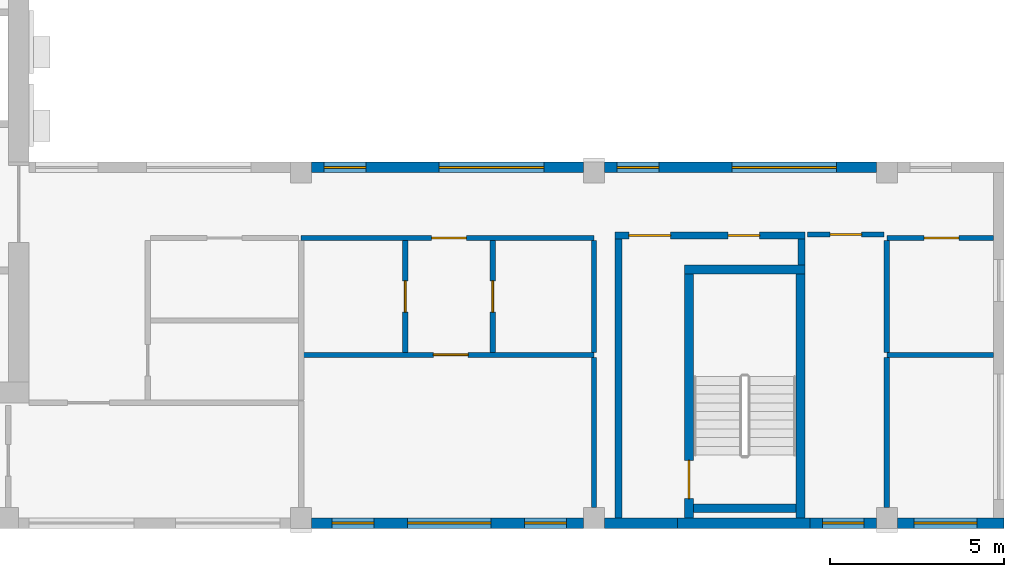
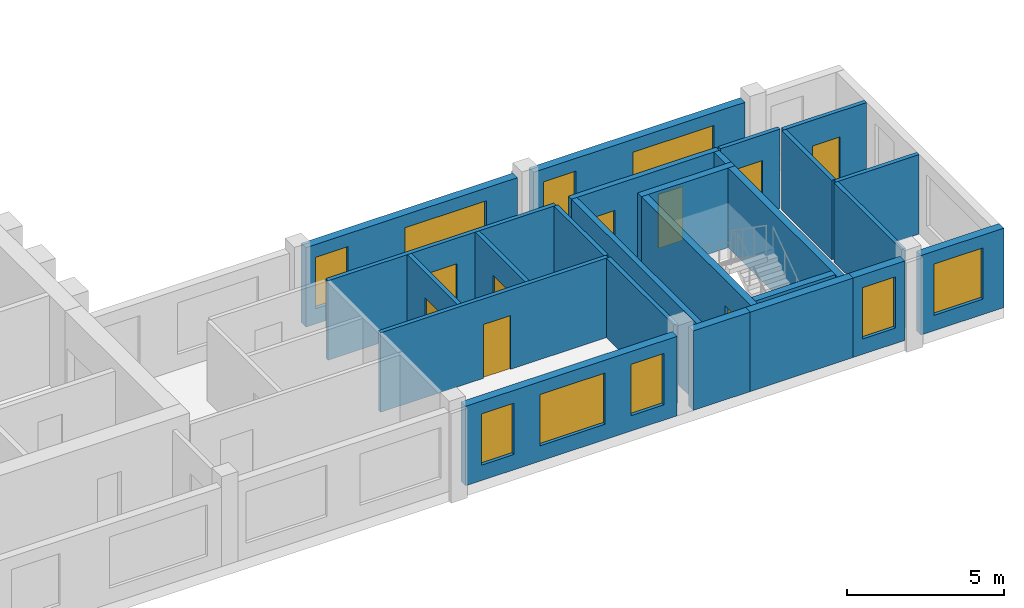
# One storey, part 4 of 10: 25 walls, 9 doors, 9 windows, 18 openings.
"""IFC4 building model written with IfcOpenShell, lengths in metres."""

from ifc_helpers import new_model, si_unit, direction, frame, frame_2d, origin, place, context, subcontext, project, spatial, rectangle, extrude, source, transform, mapped, material, layer, layer_set, type_object, element, fill, save


model = new_model("IFC4")

# Units and contexts
model_context = context("Model", 3, precision=1e-05, world=origin(), true_north=direction((0.0, 1.0)))
body_context = subcontext(model_context, "Body", "Model", "MODEL_VIEW")
ifc_project = project(units=[si_unit("LENGTHUNIT", "METRE"), si_unit("AREAUNIT", "SQUARE_METRE"), si_unit("VOLUMEUNIT", "CUBIC_METRE"), si_unit("PLANEANGLEUNIT", "RADIAN"), si_unit("MASSUNIT", "GRAM", prefix="KILO")], contexts=[model_context])

# Site, building, storey
site_placement = place(None, origin())
site = spatial("IfcSite", under=ifc_project, at=site_placement, CompositionType="ELEMENT")
building_placement = place(site_placement, origin())
building = spatial("IfcBuilding", under=site, at=building_placement, Name="Aurelian Terraces", CompositionType="ELEMENT")
storey_placement = place(building_placement, frame((0.0, 0.0, 358.0)))
storey = spatial("IfcBuildingStorey", under=building, at=storey_placement, Name="L85", CompositionType="ELEMENT", Elevation=358.0)

# Walls
ifc_material_1 = material(Name="Concrete fc' 40 MPa", Category="concrete")
ifc_layer_1 = layer(ifc_material_1, 0.3)
ifc_layer_set_1 = layer_set([ifc_layer_1], Name="STAIR BAY WALL 300")
wall_type_1 = type_object("IfcWallType", Name="STAIR BAY WALL 300", PredefinedType="SOLIDWALL", material=ifc_layer_set_1)
shared_shape_1 = source(origin(), body_context, "Body", "SweptSolid", [
    extrude(rectangle(XDim=3.8, YDim=0.3, at=frame_2d((1.9, 0.0))), origin(), (0.0, 0.0, 1.0), 3.1),
])
wall_1_placement = place(storey_placement, frame((40.2, 0.15, 0.0), z_axis=(0.0, 0.0, 1.0), x_axis=(1.0, 0.0, 0.0)))
element("IfcWall", 1, at=wall_1_placement, inside=storey, type_object=wall_type_1, Name="Stair bay wall L85 F01.5", PredefinedType="SOLIDWALL", context=body_context, shape_type="MappedRepresentation", body=[
    mapped(shared_shape_1, transform((0.0, 0.0, 0.0), scale=1.0)),
])
ifc_material_2 = material(Name="Terracotta rainscreen cladding", Category="masonry")
ifc_layer_2 = layer(ifc_material_2, 0.3)
ifc_layer_set_2 = layer_set([ifc_layer_2], Name="EW-300")
wall_type_2 = type_object("IfcWallType", Name="EW-300", PredefinedType="STANDARD", material=ifc_layer_set_2)
shared_shape_2 = source(origin(), body_context, "Body", "SweptSolid", [
    extrude(rectangle(XDim=2.1, YDim=0.3, at=frame_2d((1.05, 0.0))), origin(), (0.0, 0.0, 1.0), 3.1),
])
wall_2_placement = place(storey_placement, frame((38.1, 0.15, 0.0), z_axis=(0.0, 0.0, 1.0), x_axis=(1.0, 0.0, 0.0)))
element("IfcWall", 2, at=wall_2_placement, inside=storey, type_object=wall_type_2, Name="External wall L85 F01.5", PredefinedType="STANDARD", context=body_context, shape_type="MappedRepresentation", body=[
    mapped(shared_shape_2, transform((0.0, 0.0, 0.0), scale=1.0)),
])

# Wall, opening, window
shared_shape_3 = source(origin(), body_context, "Body", "SweptSolid", [
    extrude(rectangle(XDim=1.9, YDim=0.3, at=frame_2d((0.95, 0.0))), origin(), (0.0, 0.0, 1.0), 3.1),
])
wall_3_placement = place(storey_placement, frame((44.0, 0.15, 0.0), z_axis=(0.0, 0.0, 1.0), x_axis=(1.0, 0.0, 0.0)))
wall_3 = element("IfcWall", 3, at=wall_3_placement, inside=storey, type_object=wall_type_2, Name="External wall L85 F01.5", PredefinedType="STANDARD", context=body_context, shape_type="MappedRepresentation", body=[
    mapped(shared_shape_3, transform((0.0, 0.0, 0.0), scale=1.0)),
])
shared_shape_4 = source(origin(), body_context, "Body", "SweptSolid", [
    extrude(rectangle(XDim=1.2, YDim=2.0, at=frame_2d((0.6, 1.0))), frame((0.0, 0.16, 0.0), z_axis=(0.0, -1.0, 0.0), x_axis=(1.0, 0.0, 0.0)), (0.0, 0.0, 1.0), 0.32),
])
opening_1_placement = place(wall_3_placement, frame((0.35, 0.0, 0.6)))
opening_1 = element("IfcOpeningElement", 4, at=opening_1_placement, cuts=wall_3, Name="Opening W1220", PredefinedType="OPENING", context=body_context, shape_type="MappedRepresentation", body=[
    mapped(shared_shape_4, transform((0.0, 0.0, 0.0), scale=1.0)),
])
ifc_material_3 = material(Name="Clear glazing", Category="glass")
window_type_1 = type_object("IfcWindowType", Name="W-1200x2000", PartitioningType="SINGLE_PANEL", PredefinedType="WINDOW", material=ifc_material_3)
shared_shape_5 = source(origin(), body_context, "Body", "SweptSolid", [
    extrude(rectangle(XDim=1.2, YDim=2.0, at=frame_2d((0.6, 1.0))), frame((0.0, 0.03, 0.0), z_axis=(0.0, -1.0, 0.0), x_axis=(1.0, 0.0, 0.0)), (0.0, 0.0, 1.0), 0.06),
])
window_1_placement = place(opening_1_placement, origin())
window_1 = element("IfcWindow", 5, at=window_1_placement, inside=storey, type_object=window_type_1, Name="Window L85 L85-F01-05-P2", OverallHeight=2.0, OverallWidth=1.2, PartitioningType="SINGLE_PANEL", PredefinedType="WINDOW", context=body_context, shape_type="MappedRepresentation", body=[
    mapped(shared_shape_5, transform((0.0, 0.0, 0.0), scale=1.0)),
])
fill(opening_1, window_1)

shared_shape_6 = source(origin(), body_context, "Body", "SweptSolid", [
    extrude(rectangle(XDim=3.06, YDim=0.3, at=frame_2d((1.53, 0.0))), origin(), (0.0, 0.0, 1.0), 3.1),
])
wall_4_placement = place(storey_placement, frame((46.5, 0.15, 0.0), z_axis=(0.0, 0.0, 1.0), x_axis=(1.0, 0.0, 0.0)))
wall_4 = element("IfcWall", 6, at=wall_4_placement, inside=storey, type_object=wall_type_2, Name="External wall L85 F01.6", PredefinedType="STANDARD", context=body_context, shape_type="MappedRepresentation", body=[
    mapped(shared_shape_6, transform((0.0, 0.0, 0.0), scale=1.0)),
])
shared_shape_7 = source(origin(), body_context, "Body", "SweptSolid", [
    extrude(rectangle(XDim=1.8, YDim=2.0, at=frame_2d((0.9, 1.0))), frame((0.0, 0.16, 0.0), z_axis=(0.0, -1.0, 0.0), x_axis=(1.0, 0.0, 0.0)), (0.0, 0.0, 1.0), 0.32),
])
opening_2_placement = place(wall_4_placement, frame((0.48, 0.0, 0.6)))
opening_2 = element("IfcOpeningElement", 7, at=opening_2_placement, cuts=wall_4, Name="Opening W1820", PredefinedType="OPENING", context=body_context, shape_type="MappedRepresentation", body=[
    mapped(shared_shape_7, transform((0.0, 0.0, 0.0), scale=1.0)),
])
window_type_2 = type_object("IfcWindowType", Name="W-1800x2000", PartitioningType="SINGLE_PANEL", PredefinedType="WINDOW", material=ifc_material_3)
shared_shape_8 = source(origin(), body_context, "Body", "SweptSolid", [
    extrude(rectangle(XDim=1.8, YDim=2.0, at=frame_2d((0.9, 1.0))), frame((0.0, 0.03, 0.0), z_axis=(0.0, -1.0, 0.0), x_axis=(1.0, 0.0, 0.0)), (0.0, 0.0, 1.0), 0.06),
])
window_2_placement = place(opening_2_placement, origin())
window_2 = element("IfcWindow", 8, at=window_2_placement, inside=storey, type_object=window_type_2, Name="Window L85 L85-F01-06-0", OverallHeight=2.0, OverallWidth=1.8, PartitioningType="SINGLE_PANEL", PredefinedType="WINDOW", context=body_context, shape_type="MappedRepresentation", body=[
    mapped(shared_shape_8, transform((0.0, 0.0, 0.0), scale=1.0)),
])
fill(opening_2, window_2)

# Wall, openings, windows
shared_shape_9 = source(origin(), body_context, "Body", "SweptSolid", [
    extrude(rectangle(XDim=7.8, YDim=0.3, at=frame_2d((3.9, 0.0))), origin(), (0.0, 0.0, 1.0), 3.1),
])
wall_5_placement = place(storey_placement, frame((29.7, 0.15, 0.0), z_axis=(0.0, 0.0, 1.0), x_axis=(1.0, 0.0, 0.0)))
wall_5 = element("IfcWall", 9, at=wall_5_placement, inside=storey, type_object=wall_type_2, Name="External wall L85 F01.4", PredefinedType="STANDARD", context=body_context, shape_type="MappedRepresentation", body=[
    mapped(shared_shape_9, transform((0.0, 0.0, 0.0), scale=1.0)),
])
opening_3_placement = place(wall_5_placement, frame((0.5875, 0.0, 0.6)))
opening_3 = element("IfcOpeningElement", 10, at=opening_3_placement, cuts=wall_5, Name="Opening W1220", PredefinedType="OPENING", context=body_context, shape_type="MappedRepresentation", body=[
    mapped(shared_shape_4, transform((0.0, 0.0, 0.0), scale=1.0)),
])
opening_4_placement = place(wall_5_placement, frame((6.1125, 0.0, 0.6)))
opening_4 = element("IfcOpeningElement", 11, at=opening_4_placement, cuts=wall_5, Name="Opening W1220", PredefinedType="OPENING", context=body_context, shape_type="MappedRepresentation", body=[
    mapped(shared_shape_4, transform((0.0, 0.0, 0.0), scale=1.0)),
])
shared_shape_10 = source(origin(), body_context, "Body", "SweptSolid", [
    extrude(rectangle(XDim=2.4, YDim=2.0, at=frame_2d((1.2, 1.0))), frame((0.0, 0.16, 0.0), z_axis=(0.0, -1.0, 0.0), x_axis=(1.0, 0.0, 0.0)), (0.0, 0.0, 1.0), 0.32),
])
opening_5_placement = place(wall_5_placement, frame((2.75, 0.0, 0.6)))
opening_5 = element("IfcOpeningElement", 12, at=opening_5_placement, cuts=wall_5, Name="Opening W2420", PredefinedType="OPENING", context=body_context, shape_type="MappedRepresentation", body=[
    mapped(shared_shape_10, transform((0.0, 0.0, 0.0), scale=1.0)),
])
window_3_placement = place(opening_3_placement, origin())
window_3 = element("IfcWindow", 13, at=window_3_placement, inside=storey, type_object=window_type_1, Name="Window L85 L85-F01-04-0", OverallHeight=2.0, OverallWidth=1.2, PartitioningType="SINGLE_PANEL", PredefinedType="WINDOW", context=body_context, shape_type="MappedRepresentation", body=[
    mapped(shared_shape_5, transform((0.0, 0.0, 0.0), scale=1.0)),
])
fill(opening_3, window_3)
window_4_placement = place(opening_4_placement, origin())
window_4 = element("IfcWindow", 14, at=window_4_placement, inside=storey, type_object=window_type_1, Name="Window L85 L85-F01-04-1", OverallHeight=2.0, OverallWidth=1.2, PartitioningType="SINGLE_PANEL", PredefinedType="WINDOW", context=body_context, shape_type="MappedRepresentation", body=[
    mapped(shared_shape_5, transform((0.0, 0.0, 0.0), scale=1.0)),
])
fill(opening_4, window_4)
window_type_3 = type_object("IfcWindowType", Name="W-2400x2000", PartitioningType="SINGLE_PANEL", PredefinedType="WINDOW", material=ifc_material_3)
shared_shape_11 = source(origin(), body_context, "Body", "SweptSolid", [
    extrude(rectangle(XDim=2.4, YDim=2.0, at=frame_2d((1.2, 1.0))), frame((0.0, 0.03, 0.0), z_axis=(0.0, -1.0, 0.0), x_axis=(1.0, 0.0, 0.0)), (0.0, 0.0, 1.0), 0.06),
])
window_5_placement = place(opening_5_placement, origin())
window_5 = element("IfcWindow", 15, at=window_5_placement, inside=storey, type_object=window_type_3, Name="Window L85 L85-F01-04-G0-21", OverallHeight=2.0, OverallWidth=2.4, PartitioningType="SINGLE_PANEL", PredefinedType="WINDOW", context=body_context, shape_type="MappedRepresentation", body=[
    mapped(shared_shape_11, transform((0.0, 0.0, 0.0), scale=1.0)),
])
fill(opening_5, window_5)

wall_6_placement = place(storey_placement, frame((45.9, 10.35, 0.0), z_axis=(0.0, 0.0, 1.0), x_axis=(-1.0, 0.0, 0.0)))
wall_6 = element("IfcWall", 16, at=wall_6_placement, inside=storey, type_object=wall_type_2, Name="External wall L85 F03.8", PredefinedType="STANDARD", context=body_context, shape_type="MappedRepresentation", body=[
    mapped(shared_shape_9, transform((0.0, 0.0, 0.0), scale=1.0)),
])
shared_shape_12 = source(origin(), body_context, "Body", "SweptSolid", [
    extrude(rectangle(XDim=3.0, YDim=2.0, at=frame_2d((1.5, 1.0))), frame((0.0, 0.16, 0.0), z_axis=(0.0, -1.0, 0.0), x_axis=(1.0, 0.0, 0.0)), (0.0, 0.0, 1.0), 0.32),
])
opening_6_placement = place(wall_6_placement, frame((1.14, 0.0, 0.6)))
opening_6 = element("IfcOpeningElement", 17, at=opening_6_placement, cuts=wall_6, Name="Opening W3020", PredefinedType="OPENING", context=body_context, shape_type="MappedRepresentation", body=[
    mapped(shared_shape_12, transform((0.0, 0.0, 0.0), scale=1.0)),
])
opening_7_placement = place(wall_6_placement, frame((6.24, 0.0, 0.6)))
opening_7 = element("IfcOpeningElement", 18, at=opening_7_placement, cuts=wall_6, Name="Opening W1220", PredefinedType="OPENING", context=body_context, shape_type="MappedRepresentation", body=[
    mapped(shared_shape_4, transform((0.0, 0.0, 0.0), scale=1.0)),
])
window_type_4 = type_object("IfcWindowType", Name="W-3000x2000", PartitioningType="SINGLE_PANEL", PredefinedType="WINDOW", material=ifc_material_3)
shared_shape_13 = source(origin(), body_context, "Body", "SweptSolid", [
    extrude(rectangle(XDim=3.0, YDim=2.0, at=frame_2d((1.5, 1.0))), frame((0.0, 0.03, 0.0), z_axis=(0.0, -1.0, 0.0), x_axis=(1.0, 0.0, 0.0)), (0.0, 0.0, 1.0), 0.06),
])
window_6_placement = place(opening_6_placement, origin())
window_6 = element("IfcWindow", 19, at=window_6_placement, inside=storey, type_object=window_type_4, Name="Window L85 L85-F03-08-1", OverallHeight=2.0, OverallWidth=3.0, PartitioningType="SINGLE_PANEL", PredefinedType="WINDOW", context=body_context, shape_type="MappedRepresentation", body=[
    mapped(shared_shape_13, transform((0.0, 0.0, 0.0), scale=1.0)),
])
fill(opening_6, window_6)
window_7_placement = place(opening_7_placement, origin())
window_7 = element("IfcWindow", 20, at=window_7_placement, inside=storey, type_object=window_type_1, Name="Window L85 L85-F03-08-2", OverallHeight=2.0, OverallWidth=1.2, PartitioningType="SINGLE_PANEL", PredefinedType="WINDOW", context=body_context, shape_type="MappedRepresentation", body=[
    mapped(shared_shape_5, transform((0.0, 0.0, 0.0), scale=1.0)),
])
fill(opening_7, window_7)

wall_7_placement = place(storey_placement, frame((37.5, 10.35, 0.0), z_axis=(0.0, 0.0, 1.0), x_axis=(-1.0, 0.0, 0.0)))
wall_7 = element("IfcWall", 21, at=wall_7_placement, inside=storey, type_object=wall_type_2, Name="External wall L85 F03.8", PredefinedType="STANDARD", context=body_context, shape_type="MappedRepresentation", body=[
    mapped(shared_shape_9, transform((0.0, 0.0, 0.0), scale=1.0)),
])
opening_8_placement = place(wall_7_placement, frame((1.14, 0.0, 0.6)))
opening_8 = element("IfcOpeningElement", 22, at=opening_8_placement, cuts=wall_7, Name="Opening W3020", PredefinedType="OPENING", context=body_context, shape_type="MappedRepresentation", body=[
    mapped(shared_shape_12, transform((0.0, 0.0, 0.0), scale=1.0)),
])
opening_9_placement = place(wall_7_placement, frame((6.24, 0.0, 0.6)))
opening_9 = element("IfcOpeningElement", 23, at=opening_9_placement, cuts=wall_7, Name="Opening W1220", PredefinedType="OPENING", context=body_context, shape_type="MappedRepresentation", body=[
    mapped(shared_shape_4, transform((0.0, 0.0, 0.0), scale=1.0)),
])
window_8_placement = place(opening_8_placement, origin())
window_8 = element("IfcWindow", 24, at=window_8_placement, inside=storey, type_object=window_type_4, Name="Window L85 L85-F03-08-3", OverallHeight=2.0, OverallWidth=3.0, PartitioningType="SINGLE_PANEL", PredefinedType="WINDOW", context=body_context, shape_type="MappedRepresentation", body=[
    mapped(shared_shape_13, transform((0.0, 0.0, 0.0), scale=1.0)),
])
fill(opening_8, window_8)
window_9_placement = place(opening_9_placement, origin())
window_9 = element("IfcWindow", 25, at=window_9_placement, inside=storey, type_object=window_type_1, Name="Window L85 L85-F03-08-4", OverallHeight=2.0, OverallWidth=1.2, PartitioningType="SINGLE_PANEL", PredefinedType="WINDOW", context=body_context, shape_type="MappedRepresentation", body=[
    mapped(shared_shape_5, transform((0.0, 0.0, 0.0), scale=1.0)),
])
fill(opening_9, window_9)

# Wall, opening, door
ifc_layer_3 = layer(ifc_material_1, 0.25)
ifc_layer_set_3 = layer_set([ifc_layer_3], Name="Stair enclosure wall 250")
wall_type_3 = type_object("IfcWallType", Name="Stair enclosure wall 250", PredefinedType="SOLIDWALL", material=ifc_layer_set_3)
shared_shape_14 = source(origin(), body_context, "Body", "SweptSolid", [
    extrude(rectangle(XDim=7.0, YDim=0.25, at=frame_2d((3.5, 0.0))), origin(), (0.0, 0.0, 1.0), 3.1),
])
wall_8_placement = place(storey_placement, frame((40.525, 0.3, 0.0), z_axis=(0.0, 0.0, 1.0), x_axis=(0.0, 1.0, 0.0)))
wall_8 = element("IfcWall", 26, at=wall_8_placement, inside=storey, type_object=wall_type_3, Name="L85 core wall ST-S2-W", PredefinedType="SOLIDWALL", context=body_context, shape_type="MappedRepresentation", body=[
    mapped(shared_shape_14, transform((0.0, 0.0, 0.0), scale=1.0)),
])
shared_shape_15 = source(origin(), body_context, "Body", "SweptSolid", [
    extrude(rectangle(XDim=1.1, YDim=2.1, at=frame_2d((0.55, 1.05))), frame((0.0, 0.135, 0.0), z_axis=(0.0, -1.0, 0.0), x_axis=(1.0, 0.0, 0.0)), (0.0, 0.0, 1.0), 0.27),
])
opening_10_placement = place(wall_8_placement, frame((0.55, 0.0, 0.0)))
opening_10 = element("IfcOpeningElement", 27, at=opening_10_placement, cuts=wall_8, Name="Opening 68818", PredefinedType="OPENING", context=body_context, shape_type="MappedRepresentation", body=[
    mapped(shared_shape_15, transform((0.0, 0.0, 0.0), scale=1.0)),
])
ifc_material_4 = material(Name="Steel door leaf", Category="steel")
door_type_1 = type_object("IfcDoorType", Name="Core fire door 1100x2100", OperationType="SINGLE_SWING_LEFT", PredefinedType="DOOR", material=ifc_material_4)
shared_shape_16 = source(origin(), body_context, "Body", "SweptSolid", [
    extrude(rectangle(XDim=1.1, YDim=2.1, at=frame_2d((0.55, 1.05))), frame((0.0, 0.025, 0.0), z_axis=(0.0, -1.0, 0.0), x_axis=(1.0, 0.0, 0.0)), (0.0, 0.0, 1.0), 0.05),
])
door_1_placement = place(opening_10_placement, origin())
door_1 = element("IfcDoor", 28, at=door_1_placement, inside=storey, type_object=door_type_1, Name="Stair door 68818", OperationType="SINGLE_SWING_LEFT", OverallHeight=2.1, OverallWidth=1.1, PredefinedType="DOOR", context=body_context, shape_type="MappedRepresentation", body=[
    mapped(shared_shape_16, transform((0.0, 0.0, 0.0), scale=1.0)),
])
fill(opening_10, door_1)

# Walls
wall_9_placement = place(storey_placement, frame((43.725, 0.3, 0.0), z_axis=(0.0, 0.0, 1.0), x_axis=(0.0, 1.0, 0.0)))
element("IfcWall", 29, at=wall_9_placement, inside=storey, type_object=wall_type_3, Name="L85 core wall ST-S2-E", PredefinedType="SOLIDWALL", context=body_context, shape_type="MappedRepresentation", body=[
    mapped(shared_shape_14, transform((0.0, 0.0, 0.0), scale=1.0)),
])
shared_shape_17 = source(origin(), body_context, "Body", "SweptSolid", [
    extrude(rectangle(XDim=3.45, YDim=0.25, at=frame_2d((1.725, 0.0))), origin(), (0.0, 0.0, 1.0), 3.1),
])
wall_10_placement = place(storey_placement, frame((40.4, 7.425, 0.0), z_axis=(0.0, 0.0, 1.0), x_axis=(1.0, 0.0, 0.0)))
element("IfcWall", 30, at=wall_10_placement, inside=storey, type_object=wall_type_3, Name="L85 core wall ST-S2-N", PredefinedType="SOLIDWALL", context=body_context, shape_type="MappedRepresentation", body=[
    mapped(shared_shape_17, transform((0.0, 0.0, 0.0), scale=1.0)),
])
ifc_material_5 = material(Name="Gypsum board on steel studs", Category="steel")
ifc_layer_4 = layer(ifc_material_5, 0.2)
ifc_layer_set_4 = layer_set([ifc_layer_4], Name="Core partition 200")
wall_type_4 = type_object("IfcWallType", Name="Core partition 200", PredefinedType="PARTITIONING", material=ifc_layer_set_4)
shared_shape_18 = source(origin(), body_context, "Body", "SweptSolid", [
    extrude(rectangle(XDim=8.0, YDim=0.2, at=frame_2d((4.0, 0.0))), origin(), (0.0, 0.0, 1.0), 3.1),
])
wall_11_placement = place(storey_placement, frame((38.5, 0.3, 0.0), z_axis=(0.0, 0.0, 1.0), x_axis=(0.0, 1.0, 0.0)))
element("IfcWall", 31, at=wall_11_placement, inside=storey, type_object=wall_type_4, Name="L85 core wall ST-S2-VW", PredefinedType="PARTITIONING", context=body_context, shape_type="MappedRepresentation", body=[
    mapped(shared_shape_18, transform((0.0, 0.0, 0.0), scale=1.0)),
])

# Wall, openings, doors
shared_shape_19 = source(origin(), body_context, "Body", "SweptSolid", [
    extrude(rectangle(XDim=5.45, YDim=0.2, at=frame_2d((2.725, 0.0))), origin(), (0.0, 0.0, 1.0), 3.1),
])
wall_12_placement = place(storey_placement, frame((38.4, 8.4, 0.0), z_axis=(0.0, 0.0, 1.0), x_axis=(1.0, 0.0, 0.0)))
wall_12 = element("IfcWall", 32, at=wall_12_placement, inside=storey, type_object=wall_type_4, Name="L85 core wall ST-S2-BN", PredefinedType="PARTITIONING", context=body_context, shape_type="MappedRepresentation", body=[
    mapped(shared_shape_19, transform((0.0, 0.0, 0.0), scale=1.0)),
])
shared_shape_20 = source(origin(), body_context, "Body", "SweptSolid", [
    extrude(rectangle(XDim=1.2, YDim=2.1, at=frame_2d((0.6, 1.05))), frame((0.0, 0.11, 0.0), z_axis=(0.0, -1.0, 0.0), x_axis=(1.0, 0.0, 0.0)), (0.0, 0.0, 1.0), 0.22),
])
opening_11_placement = place(wall_12_placement, frame((0.4, 0.0, 0.0)))
opening_11 = element("IfcOpeningElement", 33, at=opening_11_placement, cuts=wall_12, Name="Opening 68819", PredefinedType="OPENING", context=body_context, shape_type="MappedRepresentation", body=[
    mapped(shared_shape_20, transform((0.0, 0.0, 0.0), scale=1.0)),
])
shared_shape_21 = source(origin(), body_context, "Body", "SweptSolid", [
    extrude(rectangle(XDim=0.9, YDim=2.1, at=frame_2d((0.45, 1.05))), frame((0.0, 0.11, 0.0), z_axis=(0.0, -1.0, 0.0), x_axis=(1.0, 0.0, 0.0)), (0.0, 0.0, 1.0), 0.22),
])
opening_12_placement = place(wall_12_placement, frame((3.25, 0.0, 0.0)))
opening_12 = element("IfcOpeningElement", 34, at=opening_12_placement, cuts=wall_12, Name="Opening 68820", PredefinedType="OPENING", context=body_context, shape_type="MappedRepresentation", body=[
    mapped(shared_shape_21, transform((0.0, 0.0, 0.0), scale=1.0)),
])
door_type_2 = type_object("IfcDoorType", Name="Core riser door 900x2100", OperationType="SINGLE_SWING_LEFT", PredefinedType="DOOR", material=ifc_material_4)
shared_shape_22 = source(origin(), body_context, "Body", "SweptSolid", [
    extrude(rectangle(XDim=0.9, YDim=2.1, at=frame_2d((0.45, 1.05))), frame((0.0, 0.025, 0.0), z_axis=(0.0, -1.0, 0.0), x_axis=(1.0, 0.0, 0.0)), (0.0, 0.0, 1.0), 0.05),
])
door_2_placement = place(opening_12_placement, origin())
door_2 = element("IfcDoor", 35, at=door_2_placement, inside=storey, type_object=door_type_2, Name="Riser door 68820", OperationType="SINGLE_SWING_LEFT", OverallHeight=2.1, OverallWidth=0.9, PredefinedType="DOOR", context=body_context, shape_type="MappedRepresentation", body=[
    mapped(shared_shape_22, transform((0.0, 0.0, 0.0), scale=1.0)),
])
fill(opening_12, door_2)
door_type_3 = type_object("IfcDoorType", Name="Core fire door 1200x2100 right", OperationType="SINGLE_SWING_RIGHT", PredefinedType="DOOR", material=ifc_material_4)
shared_shape_23 = source(origin(), body_context, "Body", "SweptSolid", [
    extrude(rectangle(XDim=1.2, YDim=2.1, at=frame_2d((0.6, 1.05))), frame((0.0, 0.025, 0.0), z_axis=(0.0, -1.0, 0.0), x_axis=(1.0, 0.0, 0.0)), (0.0, 0.0, 1.0), 0.05),
])
door_3_placement = place(opening_11_placement, origin())
door_3 = element("IfcDoor", 36, at=door_3_placement, inside=storey, type_object=door_type_3, Name="Vestibule door 68819", OperationType="SINGLE_SWING_RIGHT", OverallHeight=2.1, OverallWidth=1.2, PredefinedType="DOOR", context=body_context, shape_type="MappedRepresentation", body=[
    mapped(shared_shape_23, transform((0.0, 0.0, 0.0), scale=1.0)),
])
fill(opening_11, door_3)

# Walls
shared_shape_24 = source(origin(), body_context, "Body", "SweptSolid", [
    extrude(rectangle(XDim=0.75, YDim=0.2, at=frame_2d((0.375, 0.0))), origin(), (0.0, 0.0, 1.0), 3.1),
])
wall_13_placement = place(storey_placement, frame((43.75, 7.55, 0.0), z_axis=(0.0, 0.0, 1.0), x_axis=(0.0, 1.0, 0.0)))
element("IfcWall", 37, at=wall_13_placement, inside=storey, type_object=wall_type_4, Name="L85 core wall ST-S2-RE", PredefinedType="PARTITIONING", context=body_context, shape_type="MappedRepresentation", body=[
    mapped(shared_shape_24, transform((0.0, 0.0, 0.0), scale=1.0)),
])
shared_shape_25 = source(origin(), body_context, "Body", "SweptSolid", [
    extrude(rectangle(XDim=2.95, YDim=0.25, at=frame_2d((1.475, 0.0))), origin(), (0.0, 0.0, 1.0), 3.1),
])
wall_14_placement = place(storey_placement, frame((40.65, 0.575, 0.0), z_axis=(0.0, 0.0, 1.0), x_axis=(1.0, 0.0, 0.0)))
element("IfcWall", 38, at=wall_14_placement, inside=storey, type_object=wall_type_3, Name="L85 core wall ST-S2-SS", PredefinedType="SOLIDWALL", context=body_context, shape_type="MappedRepresentation", body=[
    mapped(shared_shape_25, transform((0.0, 0.0, 0.0), scale=1.0)),
])

# Wall, opening, door
ifc_layer_5 = layer(ifc_material_5, 0.15)
ifc_layer_set_5 = layer_set([ifc_layer_5], Name="Partition 150")
wall_type_5 = type_object("IfcWallType", Name="Partition 150", PredefinedType="PARTITIONING", material=ifc_layer_set_5)
shared_shape_26 = source(origin(), body_context, "Body", "SweptSolid", [
    extrude(rectangle(XDim=3.2, YDim=0.15, at=frame_2d((1.6, 0.0))), origin(), (0.0, 0.0, 1.0), 3.1),
])
wall_15_placement = place(storey_placement, frame((32.3889, 5.05, 0.0), z_axis=(0.0, 0.0, 1.0), x_axis=(0.0, 1.0, 0.0)))
wall_15 = element("IfcWall", 39, at=wall_15_placement, inside=storey, type_object=wall_type_5, Name="Partition", PredefinedType="PARTITIONING", context=body_context, shape_type="MappedRepresentation", body=[
    mapped(shared_shape_26, transform((0.0, 0.0, 0.0), scale=1.0)),
])
shared_shape_27 = source(origin(), body_context, "Body", "SweptSolid", [
    extrude(rectangle(XDim=0.9, YDim=2.1, at=frame_2d((0.45, 1.05))), frame((0.0, 0.085, 0.0), z_axis=(0.0, -1.0, 0.0), x_axis=(1.0, 0.0, 0.0)), (0.0, 0.0, 1.0), 0.17),
])
opening_13_placement = place(wall_15_placement, frame((1.15, 0.0, 0.0)))
opening_13 = element("IfcOpeningElement", 40, at=opening_13_placement, cuts=wall_15, Name="Opening 785009", PredefinedType="OPENING", context=body_context, shape_type="MappedRepresentation", body=[
    mapped(shared_shape_27, transform((0.0, 0.0, 0.0), scale=1.0)),
])
ifc_material_6 = material(Name="Timber door leaf", Category="wood")
door_type_4 = type_object("IfcDoorType", Name="Room door 900x2100 right", OperationType="SINGLE_SWING_RIGHT", PredefinedType="DOOR", material=ifc_material_6)
door_4_placement = place(opening_13_placement, origin())
door_4 = element("IfcDoor", 41, at=door_4_placement, inside=storey, type_object=door_type_4, Name="Door 785009", OperationType="SINGLE_SWING_RIGHT", OverallHeight=2.1, OverallWidth=0.9, PredefinedType="DOOR", context=body_context, shape_type="MappedRepresentation", body=[
    mapped(shared_shape_22, transform((0.0, 0.0, 0.0), scale=1.0)),
])
fill(opening_13, door_4)

wall_16_placement = place(storey_placement, frame((34.8952, 5.05, 0.0), z_axis=(0.0, 0.0, 1.0), x_axis=(0.0, 1.0, 0.0)))
wall_16 = element("IfcWall", 42, at=wall_16_placement, inside=storey, type_object=wall_type_5, Name="Partition", PredefinedType="PARTITIONING", context=body_context, shape_type="MappedRepresentation", body=[
    mapped(shared_shape_26, transform((0.0, 0.0, 0.0), scale=1.0)),
])
opening_14_placement = place(wall_16_placement, frame((1.15, 0.0, 0.0)))
opening_14 = element("IfcOpeningElement", 43, at=opening_14_placement, cuts=wall_16, Name="Opening 785010", PredefinedType="OPENING", context=body_context, shape_type="MappedRepresentation", body=[
    mapped(shared_shape_27, transform((0.0, 0.0, 0.0), scale=1.0)),
])
door_type_5 = type_object("IfcDoorType", Name="Room door 900x2100 left", OperationType="SINGLE_SWING_LEFT", PredefinedType="DOOR", material=ifc_material_6)
door_5_placement = place(opening_14_placement, origin())
door_5 = element("IfcDoor", 44, at=door_5_placement, inside=storey, type_object=door_type_5, Name="Door 785010", OperationType="SINGLE_SWING_LEFT", OverallHeight=2.1, OverallWidth=0.9, PredefinedType="DOOR", context=body_context, shape_type="MappedRepresentation", body=[
    mapped(shared_shape_22, transform((0.0, 0.0, 0.0), scale=1.0)),
])
fill(opening_14, door_5)

# Walls
ifc_layer_6 = layer(ifc_material_5, 0.15)
ifc_layer_set_6 = layer_set([ifc_layer_6], Name="Fire partition 150")
wall_type_6 = type_object("IfcWallType", Name="Fire partition 150", PredefinedType="PARTITIONING", material=ifc_layer_set_6)
for number, where, z_axis, x_axis, name in (
    (45, (37.8, 5.05, 0.0), (0.0, 0.0, 1.0), (0.0, 1.0, 0.0), "Party wall"),
    (46, (46.2, 5.05, 0.0), (0.0, 0.0, 1.0), (0.0, 1.0, 0.0), "Party wall"),
):
    element("IfcWall", number, at=place(storey_placement, frame(where, z_axis=z_axis, x_axis=x_axis)), inside=storey, type_object=wall_type_6, Name=name, PredefinedType="PARTITIONING", context=body_context, shape_type="MappedRepresentation", body=[
        mapped(shared_shape_26, transform((0.0, 0.0, 0.0), scale=1.0)),
    ])

# Wall, opening, door
shared_shape_28 = source(origin(), body_context, "Body", "SweptSolid", [
    extrude(rectangle(XDim=8.4, YDim=0.15, at=frame_2d((4.2, 0.0))), origin(), (0.0, 0.0, 1.0), 3.1),
])
wall_17_placement = place(storey_placement, frame((37.8, 4.975, 0.0), z_axis=(0.0, 0.0, 1.0), x_axis=(-1.0, 0.0, 0.0)))
wall_17 = element("IfcWall", 47, at=wall_17_placement, inside=storey, type_object=wall_type_5, Name="Partition", PredefinedType="PARTITIONING", context=body_context, shape_type="MappedRepresentation", body=[
    mapped(shared_shape_28, transform((0.0, 0.0, 0.0), scale=1.0)),
])
shared_shape_29 = source(origin(), body_context, "Body", "SweptSolid", [
    extrude(rectangle(XDim=1.0, YDim=2.1, at=frame_2d((0.5, 1.05))), frame((0.0, 0.085, 0.0), z_axis=(0.0, -1.0, 0.0), x_axis=(1.0, 0.0, 0.0)), (0.0, 0.0, 1.0), 0.17),
])
opening_15_placement = place(wall_17_placement, frame((3.608, 0.0, 0.0)))
opening_15 = element("IfcOpeningElement", 48, at=opening_15_placement, cuts=wall_17, Name="Opening 785008", PredefinedType="OPENING", context=body_context, shape_type="MappedRepresentation", body=[
    mapped(shared_shape_29, transform((0.0, 0.0, 0.0), scale=1.0)),
])
door_type_6 = type_object("IfcDoorType", Name="Room door 1000x2100 left", OperationType="SINGLE_SWING_LEFT", PredefinedType="DOOR", material=ifc_material_6)
shared_shape_30 = source(origin(), body_context, "Body", "SweptSolid", [
    extrude(rectangle(XDim=1.0, YDim=2.1, at=frame_2d((0.5, 1.05))), frame((0.0, 0.025, 0.0), z_axis=(0.0, -1.0, 0.0), x_axis=(1.0, 0.0, 0.0)), (0.0, 0.0, 1.0), 0.05),
])
door_6_placement = place(opening_15_placement, origin())
door_6 = element("IfcDoor", 49, at=door_6_placement, inside=storey, type_object=door_type_6, Name="Door 785008", OperationType="SINGLE_SWING_LEFT", OverallHeight=2.1, OverallWidth=1.0, PredefinedType="DOOR", context=body_context, shape_type="MappedRepresentation", body=[
    mapped(shared_shape_30, transform((0.0, 0.0, 0.0), scale=1.0)),
])
fill(opening_15, door_6)

wall_18_placement = place(storey_placement, frame((37.8, 8.325, 0.0), z_axis=(0.0, 0.0, 1.0), x_axis=(-1.0, 0.0, 0.0)))
wall_18 = element("IfcWall", 50, at=wall_18_placement, inside=storey, type_object=wall_type_6, Name="Corridor wall", PredefinedType="PARTITIONING", context=body_context, shape_type="MappedRepresentation", body=[
    mapped(shared_shape_28, transform((0.0, 0.0, 0.0), scale=1.0)),
])
opening_16_placement = place(wall_18_placement, frame((3.658, 0.0, 0.0)))
opening_16 = element("IfcOpeningElement", 51, at=opening_16_placement, cuts=wall_18, Name="Opening 785007", PredefinedType="OPENING", context=body_context, shape_type="MappedRepresentation", body=[
    mapped(shared_shape_29, transform((0.0, 0.0, 0.0), scale=1.0)),
])
door_type_7 = type_object("IfcDoorType", Name="Entrance fire door 1000x2100 right", OperationType="SINGLE_SWING_RIGHT", PredefinedType="DOOR", material=ifc_material_4)
door_7_placement = place(opening_16_placement, origin())
door_7 = element("IfcDoor", 52, at=door_7_placement, inside=storey, type_object=door_type_7, Name="Door 785007", OperationType="SINGLE_SWING_RIGHT", OverallHeight=2.1, OverallWidth=1.0, PredefinedType="DOOR", context=body_context, shape_type="MappedRepresentation", body=[
    mapped(shared_shape_30, transform((0.0, 0.0, 0.0), scale=1.0)),
])
fill(opening_16, door_7)

# Wall
shared_shape_31 = source(origin(), body_context, "Body", "SweptSolid", [
    extrude(rectangle(XDim=3.06, YDim=0.15, at=frame_2d((1.53, 0.0))), origin(), (0.0, 0.0, 1.0), 3.1),
])
wall_19_placement = place(storey_placement, frame((49.26, 4.975, 0.0), z_axis=(0.0, 0.0, 1.0), x_axis=(-1.0, 0.0, 0.0)))
element("IfcWall", 53, at=wall_19_placement, inside=storey, type_object=wall_type_5, Name="Partition", PredefinedType="PARTITIONING", context=body_context, shape_type="MappedRepresentation", body=[
    mapped(shared_shape_31, transform((0.0, 0.0, 0.0), scale=1.0)),
])

# Wall, opening, door
wall_20_placement = place(storey_placement, frame((49.26, 8.325, 0.0), z_axis=(0.0, 0.0, 1.0), x_axis=(-1.0, 0.0, 0.0)))
wall_20 = element("IfcWall", 54, at=wall_20_placement, inside=storey, type_object=wall_type_6, Name="Corridor wall", PredefinedType="PARTITIONING", context=body_context, shape_type="MappedRepresentation", body=[
    mapped(shared_shape_31, transform((0.0, 0.0, 0.0), scale=1.0)),
])
opening_17_placement = place(wall_20_placement, frame((0.9925, 0.0, 0.0)))
opening_17 = element("IfcOpeningElement", 55, at=opening_17_placement, cuts=wall_20, Name="Opening 785011", PredefinedType="OPENING", context=body_context, shape_type="MappedRepresentation", body=[
    mapped(shared_shape_29, transform((0.0, 0.0, 0.0), scale=1.0)),
])
door_8_placement = place(opening_17_placement, origin())
door_8 = element("IfcDoor", 56, at=door_8_placement, inside=storey, type_object=door_type_7, Name="Door 785011", OperationType="SINGLE_SWING_RIGHT", OverallHeight=2.1, OverallWidth=1.0, PredefinedType="DOOR", context=body_context, shape_type="MappedRepresentation", body=[
    mapped(shared_shape_30, transform((0.0, 0.0, 0.0), scale=1.0)),
])
fill(opening_17, door_8)

shared_shape_32 = source(origin(), body_context, "Body", "SweptSolid", [
    extrude(rectangle(XDim=2.2, YDim=0.15, at=frame_2d((1.1, 0.0))), origin(), (0.0, 0.0, 1.0), 3.1),
])
wall_21_placement = place(storey_placement, frame((46.125, 8.425, 0.0), z_axis=(0.0, 0.0, 1.0), x_axis=(-1.0, 0.0, 0.0)))
wall_21 = element("IfcWall", 57, at=wall_21_placement, inside=storey, type_object=wall_type_5, Name="Partition", PredefinedType="PARTITIONING", context=body_context, shape_type="MappedRepresentation", body=[
    mapped(shared_shape_32, transform((0.0, 0.0, 0.0), scale=1.0)),
])
opening_18_placement = place(wall_21_placement, frame((0.65, 0.0, 0.0)))
opening_18 = element("IfcOpeningElement", 58, at=opening_18_placement, cuts=wall_21, Name="Opening 785006", PredefinedType="OPENING", context=body_context, shape_type="MappedRepresentation", body=[
    mapped(shared_shape_27, transform((0.0, 0.0, 0.0), scale=1.0)),
])
door_9_placement = place(opening_18_placement, origin())
door_9 = element("IfcDoor", 59, at=door_9_placement, inside=storey, type_object=door_type_5, Name="Door 785006", OperationType="SINGLE_SWING_LEFT", OverallHeight=2.1, OverallWidth=0.9, PredefinedType="DOOR", context=body_context, shape_type="MappedRepresentation", body=[
    mapped(shared_shape_22, transform((0.0, 0.0, 0.0), scale=1.0)),
])
fill(opening_18, door_9)

# Walls
shared_shape_33 = source(origin(), body_context, "Body", "SweptSolid", [
    extrude(rectangle(XDim=4.301, YDim=0.15, at=frame_2d((2.1505, 0.0))), origin(), (0.0, 0.0, 1.0), 3.1),
])
for number, where, z_axis, x_axis, name in (
    (60, (37.8, 0.599, 0.0), (0.0, 0.0, 1.0), (0.0, 1.0, 0.0), "Party wall"),
    (61, (46.2, 0.599, 0.0), (0.0, 0.0, 1.0), (0.0, 1.0, 0.0), "Party wall"),
):
    element("IfcWall", number, at=place(storey_placement, frame(where, z_axis=z_axis, x_axis=x_axis)), inside=storey, type_object=wall_type_6, Name=name, PredefinedType="PARTITIONING", context=body_context, shape_type="MappedRepresentation", body=[
        mapped(shared_shape_33, transform((0.0, 0.0, 0.0), scale=1.0)),
    ])

save(model, "model.ifc")
